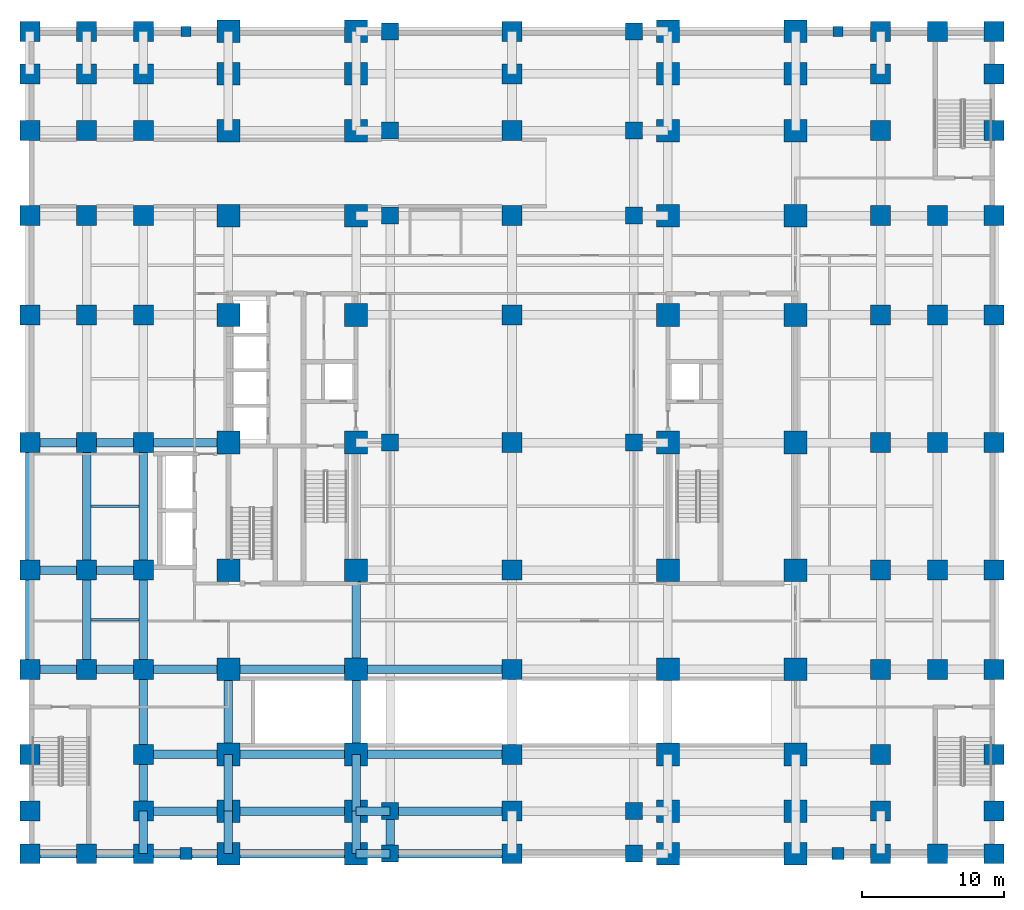
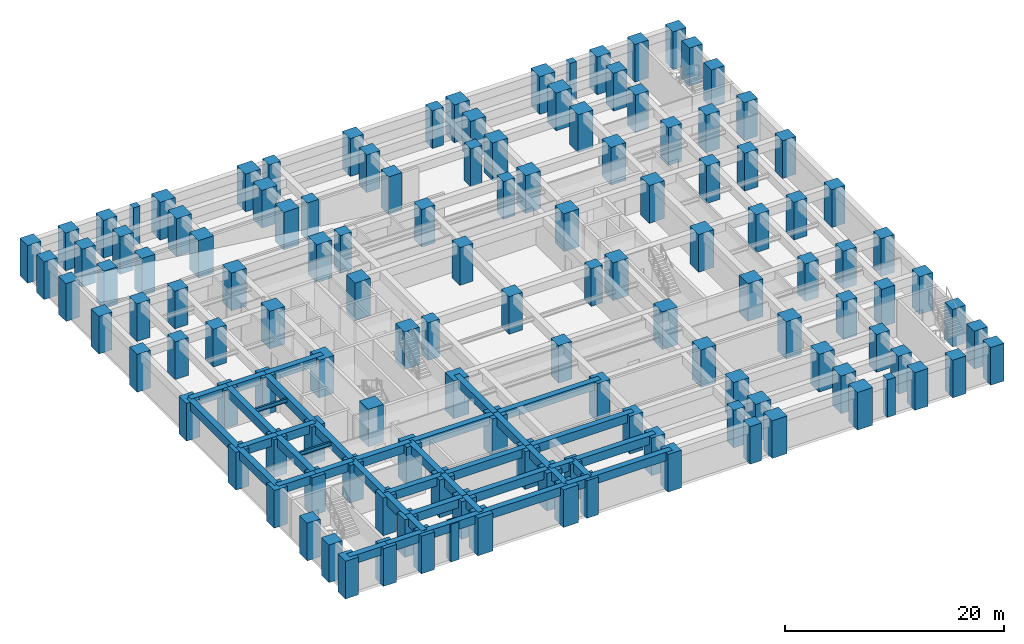
# One storey, part 1 of 14: 131 columns, 42 beams.
"""IFC4 building model written with IfcOpenShell, lengths in metres."""

import ifcopenshell
import ifcopenshell.guid

model = None  # the IFC model being written
_history = None  # IfcOwnerHistory: only IFC2X3 demands one
_inside = {}  # id of a spatial element -> (the spatial element, [elements in it])
_under = {}  # id of a project, library or spatial element -> (it, [spatial elements below it])
_declared = {}  # id of a project -> (the project, [libraries it declares])
_typed = {}  # id of a type object -> (the type object, [elements of that type])
_made_of = {}  # id of a material, layer set ... -> (it, [elements and type objects made of it])


def new_model(schema):
    """Start an empty IFC model of exactly this schema.

    Asked for "IFC4X3", IfcOpenShell would pick the latest addendum, in which some entities
    have other attributes; the version numbers below select the first issue.
    IFC2X3 requires an IfcOwnerHistory on every rooted entity: one is made here for all.
    """
    global model, _history
    if schema == "IFC4X3":
        model = ifcopenshell.file(schema_version=(4, 3, 0, 0))
    else:
        model = ifcopenshell.file(schema=schema)
    _inside.clear()
    _under.clear()
    _declared.clear()
    _typed.clear()
    _made_of.clear()
    _history = None
    if model.schema == "IFC2X3":
        org = make("IfcOrganization", Name="unknown")
        user = make(
            "IfcPersonAndOrganization",
            ThePerson=make("IfcPerson", FamilyName="unknown"),
            TheOrganization=org,
        )
        app = make(
            "IfcApplication",
            ApplicationDeveloper=org,
            Version="unknown",
            ApplicationFullName="unknown",
            ApplicationIdentifier="unknown",
        )
        _history = make(
            "IfcOwnerHistory",
            OwningUser=user,
            OwningApplication=app,
            ChangeAction="ADDED",
            CreationDate=0,
        )
    return model


def make(cls, **values):
    """One entity of the class cls with the attributes given. An attribute that is None is left unset."""
    return model.create_entity(
        cls, **{name: value for name, value in values.items() if value is not None}
    )


def rooted(cls, **values):
    """An entity with a GlobalId (a new one), such as an element, a storey or a relation."""
    return make(cls, GlobalId=ifcopenshell.guid.new(), OwnerHistory=_history, **values)


def si_unit(unit_type, name, prefix=None):
    """IfcSIUnit, for example si_unit("LENGTHUNIT", "METRE", prefix="MILLI")."""
    return make("IfcSIUnit", UnitType=unit_type, Prefix=prefix, Name=name)


def assignment(units):
    """IfcUnitAssignment: the units of a project."""
    return None if units is None else make("IfcUnitAssignment", Units=units)


def point(xyz):
    """IfcCartesianPoint."""
    return None if xyz is None else make("IfcCartesianPoint", Coordinates=xyz)


def direction(xyz):
    """IfcDirection."""
    return None if xyz is None else make("IfcDirection", DirectionRatios=xyz)


def frame(location, z_axis=None, x_axis=None):
    """IfcAxis2Placement3D, a coordinate frame: its origin and axes. An axis left out is left unset."""
    return make(
        "IfcAxis2Placement3D",
        Location=point(location),
        Axis=direction(z_axis),
        RefDirection=direction(x_axis),
    )


def frame_2d(location, x_axis=None):
    """IfcAxis2Placement2D, a coordinate frame in the plane: its origin and x axis."""
    return make(
        "IfcAxis2Placement2D", Location=point(location), RefDirection=direction(x_axis)
    )


def origin():
    """The frame at (0, 0, 0) with its axes left unset."""
    return frame((0.0, 0.0, 0.0))


def origin_2d():
    """The frame at (0, 0) in the plane with its x axis left unset."""
    return frame_2d((0.0, 0.0))


def place(relative_to, where):
    """IfcLocalPlacement: puts the frame where relative to a parent placement (None: the world)."""
    return make(
        "IfcLocalPlacement", PlacementRelTo=relative_to, RelativePlacement=where
    )


def context(
    kind, dimensions, precision=None, world=None, true_north=None, identifier=None
):
    """IfcGeometricRepresentationContext, for example the 3D "Model" context."""
    return make(
        "IfcGeometricRepresentationContext",
        ContextIdentifier=identifier,
        ContextType=kind,
        CoordinateSpaceDimension=dimensions,
        Precision=precision,
        WorldCoordinateSystem=world,
        TrueNorth=true_north,
    )


def subcontext(parent, identifier, kind, view, scale=None):
    """IfcGeometricRepresentationSubContext, for example "Body" below "Model"."""
    return make(
        "IfcGeometricRepresentationSubContext",
        ContextIdentifier=identifier,
        ContextType=kind,
        ParentContext=parent,
        TargetScale=scale,
        TargetView=view,
    )


def project(units=None, contexts=None):
    """IfcProject with its units and contexts."""
    return rooted(
        "IfcProject",
        Name="project",
        RepresentationContexts=contexts,
        UnitsInContext=assignment(units),
    )


def spatial(cls, under=None, at=None, **own):
    """A site, building, storey or space (cls), placed at a placement, below another one or the project."""
    s = rooted(cls, ObjectPlacement=at, **own)
    if under is not None:
        _under.setdefault(under.id(), (under, []))[1].append(s)
    return s


def profile(cls, at=None, kind="AREA", **sizes):
    """A parametric profile (cls). Its sizes go by their IFC names, for example OverallWidth=200.0."""
    return make(cls, ProfileType=kind, Position=at, **sizes)


def rectangle(**sizes):
    """IfcRectangleProfileDef."""
    return profile("IfcRectangleProfileDef", **sizes)


def i_section(**sizes):
    """IfcIShapeProfileDef."""
    return profile("IfcIShapeProfileDef", **sizes)


def extrude(swept, where, along, depth):
    """IfcExtrudedAreaSolid: the profile swept, set in the frame where, extruded along a direction by depth."""
    return make(
        "IfcExtrudedAreaSolid",
        SweptArea=swept,
        Position=where,
        ExtrudedDirection=direction(along),
        Depth=depth,
    )


def shape(context_of_items, identifier, shape_type, items):
    """IfcShapeRepresentation: the items that make up one representation, for example the "Body"."""
    return make(
        "IfcShapeRepresentation",
        ContextOfItems=context_of_items,
        RepresentationIdentifier=identifier,
        RepresentationType=shape_type,
        Items=items,
    )


def material(Name=None, Category=None):
    """IfcMaterial."""
    return make("IfcMaterial", Name=Name, Category=Category)


def material_profile(
    of_material, cross_section, Name=None, Category=None, Priority=None
):
    """IfcMaterialProfile: a cross section and its material."""
    return make(
        "IfcMaterialProfile",
        Name=Name,
        Material=of_material,
        Profile=cross_section,
        Priority=Priority,
        Category=Category,
    )


def profile_set(profiles, Name=None, composite=None):
    """IfcMaterialProfileSet."""
    return make(
        "IfcMaterialProfileSet",
        Name=Name,
        MaterialProfiles=profiles,
        CompositeProfile=composite,
    )


def made_of(thing, what):
    """Note that an element or type object is made of a material, layer set ...; save() writes the relation."""
    if what is not None:
        _made_of.setdefault(what.id(), (what, []))[1].append(thing)
    return thing


def type_object(cls, material=None, **own):
    """A type object (cls), such as IfcWallType, which elements share."""
    return made_of(rooted(cls, **own), material)


def element(
    cls,
    number,
    at=None,
    inside=None,
    cuts=None,
    type_object=None,
    material=None,
    context=None,
    identifier="Body",
    shape_type=None,
    held_by="IfcProductDefinitionShape",
    body=None,
    shapes=None,
    **own,
):
    """One element of the class cls, such as IfcWall. Its Tag is "e" and its number.

    at: its placement. inside: the storey or other place that contains it. cuts: it is an
    opening in that element (IfcRelVoidsElement). A single representation is given by context,
    identifier, shape_type and body (its items); several are given by shapes. held_by: the class
    of the entity that holds the representations. save() writes the other relations.
    """
    e = rooted(cls, Tag="e%d" % number, ObjectPlacement=at, **own)
    if body is not None:
        shapes = [shape(context, identifier, shape_type, body)]
    if shapes is not None:
        e.Representation = make(held_by, Representations=shapes)
    if inside is not None:
        _inside.setdefault(inside.id(), (inside, []))[1].append(e)
    if cuts is not None:
        rooted(
            "IfcRelVoidsElement", RelatingBuildingElement=cuts, RelatedOpeningElement=e
        )
    if type_object is not None:
        _typed.setdefault(type_object.id(), (type_object, []))[1].append(e)
    return made_of(e, material)


def aggregate(whole, parts):
    """IfcRelAggregates: a whole, such as a stair, and the parts it consists of."""
    return rooted("IfcRelAggregates", RelatingObject=whole, RelatedObjects=parts)


def save(model, path):
    """Write the relations noted so far, then the file.

    IfcRelAggregates (storeys below a building ...), IfcRelContainedInSpatialStructure (elements
    in a storey), IfcRelDefinesByType, IfcRelAssociatesMaterial and IfcRelDeclares: one each for
    every whole, place, type object, material and project.
    """
    for whole, parts in _under.values():
        aggregate(whole, parts)
    for where, things in _inside.values():
        rooted(
            "IfcRelContainedInSpatialStructure",
            RelatedElements=things,
            RelatingStructure=where,
        )
    for kind, things in _typed.values():
        rooted("IfcRelDefinesByType", RelatedObjects=things, RelatingType=kind)
    for what, things in _made_of.values():
        rooted("IfcRelAssociatesMaterial", RelatedObjects=things, RelatingMaterial=what)
    for by, libraries in _declared.values():
        rooted("IfcRelDeclares", RelatingContext=by, RelatedDefinitions=libraries)
    model.write(path)


model = new_model("IFC4")

# Units and contexts
model_context = context("Model", 3, precision=1e-05, world=origin(), true_north=direction((0.0, 1.0)))
body_context = subcontext(model_context, "Body", "Model", "MODEL_VIEW")
ifc_project = project(units=[si_unit("LENGTHUNIT", "METRE"), si_unit("AREAUNIT", "SQUARE_METRE"), si_unit("VOLUMEUNIT", "CUBIC_METRE"), si_unit("PLANEANGLEUNIT", "RADIAN"), si_unit("MASSUNIT", "GRAM", prefix="KILO")], contexts=[model_context])

# Site, building, storey
site_placement = place(None, origin())
site = spatial("IfcSite", under=ifc_project, at=site_placement, CompositionType="ELEMENT")
building_placement = place(site_placement, origin())
building = spatial("IfcBuilding", under=site, at=building_placement, Name="Zulmaris Gate Convention Tower", CompositionType="ELEMENT")
storey_placement = place(building_placement, frame((0.0, 0.0, -4.550048828125)))
storey = spatial("IfcBuildingStorey", under=building, at=storey_placement, Name="B1", CompositionType="ELEMENT", Elevation=-4.550048828125)

# Columns
ifc_material_1 = material(Name="Concrete C70/85", Category="concrete")
ifc_material_profile_1 = material_profile(ifc_material_1, rectangle(XDim=1.199951171875, YDim=1.199951171875, at=origin_2d()), Name="RC COL 1200x1200")
ifc_profile_set_1 = profile_set([ifc_material_profile_1], Name="Concrete C70/85")
column_type_1 = type_object("IfcColumnType", Name="COL-RC1200", PredefinedType="COLUMN", material=ifc_profile_set_1)
for number, where, z_axis, x_axis, name in (
    (1, (-8.60009765625, -29.0, 0.0), (0.0, 0.0, 1.0), (1.0, 0.0, 0.0), "B1 Column AR--8.6_-29.0"),
    (2, (8.60009765625, -29.0, 0.0), (0.0, 0.0, 1.0), (1.0, 0.0, 0.0), "B1 Column AR-+8.6_-29.0"),
    (3, (-8.60009765625, -26.0, 0.0), (0.0, 0.0, 1.0), (1.0, 0.0, 0.0), "B1 Column AR--8.6_-26.0"),
    (4, (8.60009765625, -26.0, 0.0), (0.0, 0.0, 1.0), (1.0, 0.0, 0.0), "B1 Column AR-+8.6_-26.0"),
    (5, (-8.60009765625, 0.0, 0.0), (0.0, 0.0, 1.0), (1.0, 0.0, 0.0), "B1 Column AR--8.6_+0.0"),
    (6, (8.60009765625, 0.0, 0.0), (0.0, 0.0, 1.0), (1.0, 0.0, 0.0), "B1 Column AR-+8.6_+0.0"),
    (7, (-8.60009765625, 16.0, 0.0), (0.0, 0.0, 1.0), (1.0, 0.0, 0.0), "B1 Column AR--8.6_+16.0"),
    (8, (8.60009765625, 16.0, 0.0), (0.0, 0.0, 1.0), (1.0, 0.0, 0.0), "B1 Column AR-+8.6_+16.0"),
    (9, (-8.60009765625, 22.0, 0.0), (0.0, 0.0, 1.0), (1.0, 0.0, 0.0), "B1 Column AR--8.6_+22.0"),
    (10, (8.60009765625, 22.0, 0.0), (0.0, 0.0, 1.0), (1.0, 0.0, 0.0), "B1 Column AR-+8.6_+22.0"),
    (11, (-8.60009765625, 29.0, 0.0), (0.0, 0.0, 1.0), (1.0, 0.0, 0.0), "B1 Column AR--8.6_+29.0"),
    (12, (8.60009765625, 29.0, 0.0), (0.0, 0.0, 1.0), (1.0, 0.0, 0.0), "B1 Column AR-+8.6_+29.0"),
):
    element("IfcColumn", number, at=place(storey_placement, frame(where, z_axis=z_axis, x_axis=x_axis)), inside=storey, type_object=column_type_1, Name=name, PredefinedType="COLUMN", context=body_context, shape_type="SweptSolid", body=[
        extrude(rectangle(XDim=1.199951171875, YDim=1.199951171875, at=origin_2d()), origin(), (0.0, 0.0, 1.0), 4.199951171875),
    ])
ifc_material_2 = material(Name="Concrete C80/95", Category="concrete")
ifc_material_profile_2 = material_profile(ifc_material_2, rectangle(XDim=1.39990234375, YDim=1.39990234375, at=origin_2d()), Name="RC COL 1400x1400")
ifc_profile_set_2 = profile_set([ifc_material_profile_2], Name="Concrete C80/95")
column_type_2 = type_object("IfcColumnType", Name="COL-RC1400", PredefinedType="COLUMN", material=ifc_profile_set_2)
for number, where, z_axis, x_axis, name in (
    (13, (-34.0, -29.0, 0.0), (0.0, 0.0, 1.0), (1.0, 0.0, 0.0), "B1 Column G--34.0_-29.0"),
    (14, (-34.0, -26.0, 0.0), (0.0, 0.0, 1.0), (1.0, 0.0, 0.0), "B1 Column G--34.0_-26.0"),
    (15, (-34.0, -22.0, 0.0), (0.0, 0.0, 1.0), (1.0, 0.0, 0.0), "B1 Column G--34.0_-22.0"),
    (16, (-34.0, -16.0, 0.0), (0.0, 0.0, 1.0), (1.0, 0.0, 0.0), "B1 Column G--34.0_-16.0"),
    (17, (-34.0, -9.0, 0.0), (0.0, 0.0, 1.0), (1.0, 0.0, 0.0), "B1 Column G--34.0_-9.0"),
    (18, (-34.0, 0.0, 0.0), (0.0, 0.0, 1.0), (1.0, 0.0, 0.0), "B1 Column G--34.0_+0.0"),
    (19, (-34.0, 9.0, 0.0), (0.0, 0.0, 1.0), (1.0, 0.0, 0.0), "B1 Column G--34.0_+9.0"),
    (20, (-34.0, 16.0, 0.0), (0.0, 0.0, 1.0), (1.0, 0.0, 0.0), "B1 Column G--34.0_+16.0"),
    (21, (-34.0, 22.0, 0.0), (0.0, 0.0, 1.0), (1.0, 0.0, 0.0), "B1 Column G--34.0_+22.0"),
    (22, (-34.0, 26.0, 0.0), (0.0, 0.0, 1.0), (1.0, 0.0, 0.0), "B1 Column G--34.0_+26.0"),
    (23, (-34.0, 29.0, 0.0), (0.0, 0.0, 1.0), (1.0, 0.0, 0.0), "B1 Column G--34.0_+29.0"),
    (24, (-30.0, -29.0, 0.0), (0.0, 0.0, 1.0), (1.0, 0.0, 0.0), "B1 Column G--30.0_-29.0"),
    (25, (-30.0, -16.0, 0.0), (0.0, 0.0, 1.0), (1.0, 0.0, 0.0), "B1 Column G--30.0_-16.0"),
    (26, (-30.0, -9.0, 0.0), (0.0, 0.0, 1.0), (1.0, 0.0, 0.0), "B1 Column G--30.0_-9.0"),
    (27, (-30.0, 0.0, 0.0), (0.0, 0.0, 1.0), (1.0, 0.0, 0.0), "B1 Column G--30.0_+0.0"),
    (28, (-30.0, 9.0, 0.0), (0.0, 0.0, 1.0), (1.0, 0.0, 0.0), "B1 Column G--30.0_+9.0"),
    (29, (-30.0, 16.0, 0.0), (0.0, 0.0, 1.0), (1.0, 0.0, 0.0), "B1 Column G--30.0_+16.0"),
    (30, (-30.0, 22.0, 0.0), (0.0, 0.0, 1.0), (1.0, 0.0, 0.0), "B1 Column G--30.0_+22.0"),
    (31, (-30.0, 26.0, 0.0), (0.0, 0.0, 1.0), (1.0, 0.0, 0.0), "B1 Column G--30.0_+26.0"),
    (32, (-30.0, 29.0, 0.0), (0.0, 0.0, 1.0), (1.0, 0.0, 0.0), "B1 Column G--30.0_+29.0"),
    (33, (-26.0, -29.0, 0.0), (0.0, 0.0, 1.0), (1.0, 0.0, 0.0), "B1 Column G--26.0_-29.0"),
    (34, (-26.0, -26.0, 0.0), (0.0, 0.0, 1.0), (1.0, 0.0, 0.0), "B1 Column G--26.0_-26.0"),
    (35, (-26.0, -22.0, 0.0), (0.0, 0.0, 1.0), (1.0, 0.0, 0.0), "B1 Column G--26.0_-22.0"),
    (36, (-26.0, -16.0, 0.0), (0.0, 0.0, 1.0), (1.0, 0.0, 0.0), "B1 Column G--26.0_-16.0"),
    (37, (-26.0, -9.0, 0.0), (0.0, 0.0, 1.0), (1.0, 0.0, 0.0), "B1 Column G--26.0_-9.0"),
    (38, (-26.0, 0.0, 0.0), (0.0, 0.0, 1.0), (1.0, 0.0, 0.0), "B1 Column G--26.0_+0.0"),
    (39, (-26.0, 9.0, 0.0), (0.0, 0.0, 1.0), (1.0, 0.0, 0.0), "B1 Column G--26.0_+9.0"),
    (40, (-26.0, 16.0, 0.0), (0.0, 0.0, 1.0), (1.0, 0.0, 0.0), "B1 Column G--26.0_+16.0"),
    (41, (-26.0, 22.0, 0.0), (0.0, 0.0, 1.0), (1.0, 0.0, 0.0), "B1 Column G--26.0_+22.0"),
    (42, (-26.0, 26.0, 0.0), (0.0, 0.0, 1.0), (1.0, 0.0, 0.0), "B1 Column G--26.0_+26.0"),
    (43, (-26.0, 29.0, 0.0), (0.0, 0.0, 1.0), (1.0, 0.0, 0.0), "B1 Column G--26.0_+29.0"),
    (44, (0.0, -29.0, 0.0), (0.0, 0.0, 1.0), (1.0, 0.0, 0.0), "B1 Column G-+0.0_-29.0"),
    (45, (0.0, -26.0, 0.0), (0.0, 0.0, 1.0), (1.0, 0.0, 0.0), "B1 Column G-+0.0_-26.0"),
    (46, (0.0, -22.0, 0.0), (0.0, 0.0, 1.0), (1.0, 0.0, 0.0), "B1 Column G-+0.0_-22.0"),
    (47, (0.0, -16.0, 0.0), (0.0, 0.0, 1.0), (1.0, 0.0, 0.0), "B1 Column G-+0.0_-16.0"),
    (48, (0.0, -9.0, 0.0), (0.0, 0.0, 1.0), (1.0, 0.0, 0.0), "B1 Column G-+0.0_-9.0"),
    (49, (0.0, 0.0, 0.0), (0.0, 0.0, 1.0), (1.0, 0.0, 0.0), "B1 Column G-+0.0_+0.0"),
    (50, (0.0, 9.0, 0.0), (0.0, 0.0, 1.0), (1.0, 0.0, 0.0), "B1 Column G-+0.0_+9.0"),
    (51, (0.0, 16.0, 0.0), (0.0, 0.0, 1.0), (1.0, 0.0, 0.0), "B1 Column G-+0.0_+16.0"),
    (52, (0.0, 22.0, 0.0), (0.0, 0.0, 1.0), (1.0, 0.0, 0.0), "B1 Column G-+0.0_+22.0"),
    (53, (0.0, 26.0, 0.0), (0.0, 0.0, 1.0), (1.0, 0.0, 0.0), "B1 Column G-+0.0_+26.0"),
    (54, (0.0, 29.0, 0.0), (0.0, 0.0, 1.0), (1.0, 0.0, 0.0), "B1 Column G-+0.0_+29.0"),
    (55, (26.0, -29.0, 0.0), (0.0, 0.0, 1.0), (1.0, 0.0, 0.0), "B1 Column G-+26.0_-29.0"),
    (56, (26.0, -26.0, 0.0), (0.0, 0.0, 1.0), (1.0, 0.0, 0.0), "B1 Column G-+26.0_-26.0"),
    (57, (26.0, -22.0, 0.0), (0.0, 0.0, 1.0), (1.0, 0.0, 0.0), "B1 Column G-+26.0_-22.0"),
    (58, (26.0, -16.0, 0.0), (0.0, 0.0, 1.0), (1.0, 0.0, 0.0), "B1 Column G-+26.0_-16.0"),
    (59, (26.0, -9.0, 0.0), (0.0, 0.0, 1.0), (1.0, 0.0, 0.0), "B1 Column G-+26.0_-9.0"),
    (60, (26.0, 0.0, 0.0), (0.0, 0.0, 1.0), (1.0, 0.0, 0.0), "B1 Column G-+26.0_+0.0"),
    (61, (26.0, 9.0, 0.0), (0.0, 0.0, 1.0), (1.0, 0.0, 0.0), "B1 Column G-+26.0_+9.0"),
    (62, (26.0, 16.0, 0.0), (0.0, 0.0, 1.0), (1.0, 0.0, 0.0), "B1 Column G-+26.0_+16.0"),
    (63, (26.0, 22.0, 0.0), (0.0, 0.0, 1.0), (1.0, 0.0, 0.0), "B1 Column G-+26.0_+22.0"),
    (64, (26.0, 26.0, 0.0), (0.0, 0.0, 1.0), (1.0, 0.0, 0.0), "B1 Column G-+26.0_+26.0"),
    (65, (26.0, 29.0, 0.0), (0.0, 0.0, 1.0), (1.0, 0.0, 0.0), "B1 Column G-+26.0_+29.0"),
    (66, (30.0, -29.0, 0.0), (0.0, 0.0, 1.0), (1.0, 0.0, 0.0), "B1 Column G-+30.0_-29.0"),
    (67, (30.0, -16.0, 0.0), (0.0, 0.0, 1.0), (1.0, 0.0, 0.0), "B1 Column G-+30.0_-16.0"),
    (68, (30.0, -9.0, 0.0), (0.0, 0.0, 1.0), (1.0, 0.0, 0.0), "B1 Column G-+30.0_-9.0"),
    (69, (30.0, 0.0, 0.0), (0.0, 0.0, 1.0), (1.0, 0.0, 0.0), "B1 Column G-+30.0_+0.0"),
    (70, (30.0, 9.0, 0.0), (0.0, 0.0, 1.0), (1.0, 0.0, 0.0), "B1 Column G-+30.0_+9.0"),
    (71, (30.0, 16.0, 0.0), (0.0, 0.0, 1.0), (1.0, 0.0, 0.0), "B1 Column G-+30.0_+16.0"),
    (72, (30.0, 29.0, 0.0), (0.0, 0.0, 1.0), (1.0, 0.0, 0.0), "B1 Column G-+30.0_+29.0"),
    (73, (34.0, -29.0, 0.0), (0.0, 0.0, 1.0), (1.0, 0.0, 0.0), "B1 Column G-+34.0_-29.0"),
    (74, (34.0, -26.0, 0.0), (0.0, 0.0, 1.0), (1.0, 0.0, 0.0), "B1 Column G-+34.0_-26.0"),
    (75, (34.0, -22.0, 0.0), (0.0, 0.0, 1.0), (1.0, 0.0, 0.0), "B1 Column G-+34.0_-22.0"),
    (76, (34.0, -16.0, 0.0), (0.0, 0.0, 1.0), (1.0, 0.0, 0.0), "B1 Column G-+34.0_-16.0"),
    (77, (34.0, -9.0, 0.0), (0.0, 0.0, 1.0), (1.0, 0.0, 0.0), "B1 Column G-+34.0_-9.0"),
    (78, (34.0, 0.0, 0.0), (0.0, 0.0, 1.0), (1.0, 0.0, 0.0), "B1 Column G-+34.0_+0.0"),
    (79, (34.0, 9.0, 0.0), (0.0, 0.0, 1.0), (1.0, 0.0, 0.0), "B1 Column G-+34.0_+9.0"),
    (80, (34.0, 16.0, 0.0), (0.0, 0.0, 1.0), (1.0, 0.0, 0.0), "B1 Column G-+34.0_+16.0"),
    (81, (34.0, 22.0, 0.0), (0.0, 0.0, 1.0), (1.0, 0.0, 0.0), "B1 Column G-+34.0_+22.0"),
    (82, (34.0, 26.0, 0.0), (0.0, 0.0, 1.0), (1.0, 0.0, 0.0), "B1 Column G-+34.0_+26.0"),
    (83, (34.0, 29.0, 0.0), (0.0, 0.0, 1.0), (1.0, 0.0, 0.0), "B1 Column G-+34.0_+29.0"),
):
    element("IfcColumn", number, at=place(storey_placement, frame(where, z_axis=z_axis, x_axis=x_axis)), inside=storey, type_object=column_type_2, Name=name, PredefinedType="COLUMN", context=body_context, shape_type="SweptSolid", body=[
        extrude(rectangle(XDim=1.39990234375, YDim=1.39990234375, at=origin_2d()), origin(), (0.0, 0.0, 1.0), 4.199951171875),
    ])
ifc_material_profile_3 = material_profile(ifc_material_2, rectangle(XDim=1.60009765625, YDim=1.60009765625, at=origin_2d()), Name="RC COL 1600x1600")
ifc_profile_set_3 = profile_set([ifc_material_profile_3], Name="Concrete C80/95")
column_type_3 = type_object("IfcColumnType", Name="COL-RC1600", PredefinedType="COLUMN", material=ifc_profile_set_3)
for number, where, z_axis, x_axis, name in (
    (84, (-20.0, -29.0, 0.0), (0.0, 0.0, 1.0), (1.0, 0.0, 0.0), "B1 Column G--20.0_-29.0"),
    (85, (-20.0, -26.0, 0.0), (0.0, 0.0, 1.0), (1.0, 0.0, 0.0), "B1 Column G--20.0_-26.0"),
    (86, (-20.0, -22.0, 0.0), (0.0, 0.0, 1.0), (1.0, 0.0, 0.0), "B1 Column G--20.0_-22.0"),
    (87, (-20.0, -16.0, 0.0), (0.0, 0.0, 1.0), (1.0, 0.0, 0.0), "B1 Column G--20.0_-16.0"),
    (88, (-20.0, -9.0, 0.0), (0.0, 0.0, 1.0), (1.0, 0.0, 0.0), "B1 Column G--20.0_-9.0"),
    (89, (-20.0, 0.0, 0.0), (0.0, 0.0, 1.0), (1.0, 0.0, 0.0), "B1 Column G--20.0_+0.0"),
    (90, (-20.0, 9.0, 0.0), (0.0, 0.0, 1.0), (1.0, 0.0, 0.0), "B1 Column G--20.0_+9.0"),
    (91, (-20.0, 16.0, 0.0), (0.0, 0.0, 1.0), (1.0, 0.0, 0.0), "B1 Column G--20.0_+16.0"),
    (92, (-20.0, 22.0, 0.0), (0.0, 0.0, 1.0), (1.0, 0.0, 0.0), "B1 Column G--20.0_+22.0"),
    (93, (-20.0, 26.0, 0.0), (0.0, 0.0, 1.0), (1.0, 0.0, 0.0), "B1 Column G--20.0_+26.0"),
    (94, (-20.0, 29.0, 0.0), (0.0, 0.0, 1.0), (1.0, 0.0, 0.0), "B1 Column G--20.0_+29.0"),
    (95, (-11.0, -29.0, 0.0), (0.0, 0.0, 1.0), (1.0, 0.0, 0.0), "B1 Column G--11.0_-29.0"),
    (96, (-11.0, -26.0, 0.0), (0.0, 0.0, 1.0), (1.0, 0.0, 0.0), "B1 Column G--11.0_-26.0"),
    (97, (-11.0, -22.0, 0.0), (0.0, 0.0, 1.0), (1.0, 0.0, 0.0), "B1 Column G--11.0_-22.0"),
    (98, (-11.0, -16.0, 0.0), (0.0, 0.0, 1.0), (1.0, 0.0, 0.0), "B1 Column G--11.0_-16.0"),
    (99, (-11.0, -9.0, 0.0), (0.0, 0.0, 1.0), (1.0, 0.0, 0.0), "B1 Column G--11.0_-9.0"),
    (100, (-11.0, 0.0, 0.0), (0.0, 0.0, 1.0), (1.0, 0.0, 0.0), "B1 Column G--11.0_+0.0"),
    (101, (-11.0, 9.0, 0.0), (0.0, 0.0, 1.0), (1.0, 0.0, 0.0), "B1 Column G--11.0_+9.0"),
    (102, (-11.0, 16.0, 0.0), (0.0, 0.0, 1.0), (1.0, 0.0, 0.0), "B1 Column G--11.0_+16.0"),
    (103, (-11.0, 22.0, 0.0), (0.0, 0.0, 1.0), (1.0, 0.0, 0.0), "B1 Column G--11.0_+22.0"),
    (104, (-11.0, 26.0, 0.0), (0.0, 0.0, 1.0), (1.0, 0.0, 0.0), "B1 Column G--11.0_+26.0"),
    (105, (-11.0, 29.0, 0.0), (0.0, 0.0, 1.0), (1.0, 0.0, 0.0), "B1 Column G--11.0_+29.0"),
    (106, (11.0, -29.0, 0.0), (0.0, 0.0, 1.0), (1.0, 0.0, 0.0), "B1 Column G-+11.0_-29.0"),
    (107, (11.0, -26.0, 0.0), (0.0, 0.0, 1.0), (1.0, 0.0, 0.0), "B1 Column G-+11.0_-26.0"),
    (108, (11.0, -22.0, 0.0), (0.0, 0.0, 1.0), (1.0, 0.0, 0.0), "B1 Column G-+11.0_-22.0"),
    (109, (11.0, -16.0, 0.0), (0.0, 0.0, 1.0), (1.0, 0.0, 0.0), "B1 Column G-+11.0_-16.0"),
    (110, (11.0, -9.0, 0.0), (0.0, 0.0, 1.0), (1.0, 0.0, 0.0), "B1 Column G-+11.0_-9.0"),
    (111, (11.0, 0.0, 0.0), (0.0, 0.0, 1.0), (1.0, 0.0, 0.0), "B1 Column G-+11.0_+0.0"),
    (112, (11.0, 9.0, 0.0), (0.0, 0.0, 1.0), (1.0, 0.0, 0.0), "B1 Column G-+11.0_+9.0"),
    (113, (11.0, 16.0, 0.0), (0.0, 0.0, 1.0), (1.0, 0.0, 0.0), "B1 Column G-+11.0_+16.0"),
    (114, (11.0, 22.0, 0.0), (0.0, 0.0, 1.0), (1.0, 0.0, 0.0), "B1 Column G-+11.0_+22.0"),
    (115, (11.0, 26.0, 0.0), (0.0, 0.0, 1.0), (1.0, 0.0, 0.0), "B1 Column G-+11.0_+26.0"),
    (116, (11.0, 29.0, 0.0), (0.0, 0.0, 1.0), (1.0, 0.0, 0.0), "B1 Column G-+11.0_+29.0"),
    (117, (20.0, -29.0, 0.0), (0.0, 0.0, 1.0), (1.0, 0.0, 0.0), "B1 Column G-+20.0_-29.0"),
    (118, (20.0, -26.0, 0.0), (0.0, 0.0, 1.0), (1.0, 0.0, 0.0), "B1 Column G-+20.0_-26.0"),
    (119, (20.0, -22.0, 0.0), (0.0, 0.0, 1.0), (1.0, 0.0, 0.0), "B1 Column G-+20.0_-22.0"),
    (120, (20.0, -16.0, 0.0), (0.0, 0.0, 1.0), (1.0, 0.0, 0.0), "B1 Column G-+20.0_-16.0"),
    (121, (20.0, -9.0, 0.0), (0.0, 0.0, 1.0), (1.0, 0.0, 0.0), "B1 Column G-+20.0_-9.0"),
    (122, (20.0, 0.0, 0.0), (0.0, 0.0, 1.0), (1.0, 0.0, 0.0), "B1 Column G-+20.0_+0.0"),
    (123, (20.0, 9.0, 0.0), (0.0, 0.0, 1.0), (1.0, 0.0, 0.0), "B1 Column G-+20.0_+9.0"),
    (124, (20.0, 16.0, 0.0), (0.0, 0.0, 1.0), (1.0, 0.0, 0.0), "B1 Column G-+20.0_+16.0"),
    (125, (20.0, 22.0, 0.0), (0.0, 0.0, 1.0), (1.0, 0.0, 0.0), "B1 Column G-+20.0_+22.0"),
    (126, (20.0, 26.0, 0.0), (0.0, 0.0, 1.0), (1.0, 0.0, 0.0), "B1 Column G-+20.0_+26.0"),
    (127, (20.0, 29.0, 0.0), (0.0, 0.0, 1.0), (1.0, 0.0, 0.0), "B1 Column G-+20.0_+29.0"),
):
    element("IfcColumn", number, at=place(storey_placement, frame(where, z_axis=z_axis, x_axis=x_axis)), inside=storey, type_object=column_type_3, Name=name, PredefinedType="COLUMN", context=body_context, shape_type="SweptSolid", body=[
        extrude(rectangle(XDim=1.60009765625, YDim=1.60009765625, at=origin_2d()), origin(), (0.0, 0.0, 1.0), 4.199951171875),
    ])
ifc_material_3 = material(Name="Precast concrete C50/60", Category="concrete")
ifc_material_profile_4 = material_profile(ifc_material_3, rectangle(XDim=0.699951171875, YDim=0.699951171875, at=origin_2d()), Name="RC COL 700x700")
ifc_profile_set_4 = profile_set([ifc_material_profile_4], Name="Precast concrete C50/60")
column_type_4 = type_object("IfcColumnType", Name="PIL-RC700", PredefinedType="PILASTER", material=ifc_profile_set_4)
for number, where, z_axis, x_axis, name in (
    (128, (-23.0, 29.0, 0.0), (0.0, 0.0, 1.0), (1.0, 0.0, 0.0), "B1 Pilaster PIL--23.0_+29.0"),
    (129, (23.0, 29.0, 0.0), (0.0, 0.0, 1.0), (1.0, 0.0, 0.0), "B1 Pilaster PIL-+23.0_+29.0"),
):
    element("IfcColumn", number, at=place(storey_placement, frame(where, z_axis=z_axis, x_axis=x_axis)), inside=storey, type_object=column_type_4, Name=name, PredefinedType="PILASTER", context=body_context, shape_type="SweptSolid", body=[
        extrude(rectangle(XDim=0.699951171875, YDim=0.699951171875, at=origin_2d()), origin(), (0.0, 0.0, 1.0), 4.199951171875),
    ])
ifc_material_profile_5 = material_profile(ifc_material_3, rectangle(XDim=0.85009765625, YDim=0.85009765625, at=origin_2d()), Name="RC COL 850x850")
ifc_profile_set_5 = profile_set([ifc_material_profile_5], Name="Precast concrete C50/60")
column_type_5 = type_object("IfcColumnType", Name="PIL-RC850", PredefinedType="PILASTER", material=ifc_profile_set_5)
for number, where, z_axis, x_axis, name in (
    (130, (-23.0, -29.0, 0.0), (0.0, 0.0, 1.0), (1.0, 0.0, 0.0), "B1 Pilaster PIL--23.0_-29.0"),
    (131, (23.0, -29.0, 0.0), (0.0, 0.0, 1.0), (1.0, 0.0, 0.0), "B1 Pilaster PIL-+23.0_-29.0"),
):
    element("IfcColumn", number, at=place(storey_placement, frame(where, z_axis=z_axis, x_axis=x_axis)), inside=storey, type_object=column_type_5, Name=name, PredefinedType="PILASTER", context=body_context, shape_type="SweptSolid", body=[
        extrude(rectangle(XDim=0.85009765625, YDim=0.85009765625, at=origin_2d()), origin(), (0.0, 0.0, 1.0), 4.199951171875),
    ])

# Beams
ifc_material_4 = material(Name="Concrete C60/75", Category="concrete")
ifc_material_profile_6 = material_profile(ifc_material_4, rectangle(XDim=0.60009765625, YDim=0.949951171875, at=origin_2d()), Name="RC BEAM 600x950")
ifc_profile_set_6 = profile_set([ifc_material_profile_6], Name="Concrete C60/75")
beam_type_1 = type_object("IfcBeamType", Name="BM-RC600x950", PredefinedType="BEAM", material=ifc_profile_set_6)
for number, where, z_axis, x_axis, name in (
    (132, (-34.0, -29.0, 3.72509765625), (1.0, 0.0, 0.0), (0.0, 1.0, 0.0), "B1 Beam BM-B1-X--29.0--34.0"),
    (133, (-30.0, -29.0, 3.72509765625), (1.0, 0.0, 0.0), (0.0, 1.0, 0.0), "B1 Beam BM-B1-X--29.0--30.0"),
):
    element("IfcBeam", number, at=place(storey_placement, frame(where, z_axis=z_axis, x_axis=x_axis)), inside=storey, type_object=beam_type_1, Name=name, PredefinedType="BEAM", context=body_context, shape_type="SweptSolid", body=[
        extrude(rectangle(XDim=0.60009765625, YDim=0.949951171875, at=origin_2d()), origin(), (0.0, 0.0, 1.0), 4.0),
    ])
beam_1_placement = place(storey_placement, frame((-26.0, -29.0, 3.72509765625), z_axis=(1.0, 0.0, 0.0), x_axis=(0.0, 1.0, 0.0)))
element("IfcBeam", 134, at=beam_1_placement, inside=storey, type_object=beam_type_1, Name="B1 Beam BM-B1-X--29.0--26.0", PredefinedType="BEAM", context=body_context, shape_type="SweptSolid", body=[
    extrude(rectangle(XDim=0.60009765625, YDim=0.949951171875, at=origin_2d()), origin(), (0.0, 0.0, 1.0), 6.0),
])
beam_2_placement = place(storey_placement, frame((-20.0, -29.0, 3.72509765625), z_axis=(1.0, 0.0, 0.0), x_axis=(0.0, 1.0, 0.0)))
element("IfcBeam", 135, at=beam_2_placement, inside=storey, type_object=beam_type_1, Name="B1 Beam BM-B1-X--29.0--20.0", PredefinedType="BEAM", context=body_context, shape_type="SweptSolid", body=[
    extrude(rectangle(XDim=0.60009765625, YDim=0.949951171875, at=origin_2d()), origin(), (0.0, 0.0, 1.0), 9.0),
])
beam_3_placement = place(storey_placement, frame((-11.0, -29.0, 3.72509765625), z_axis=(1.0, 0.0, 0.0), x_axis=(0.0, 1.0, 0.0)))
element("IfcBeam", 136, at=beam_3_placement, inside=storey, type_object=beam_type_1, Name="B1 Beam BM-B1-X--29.0--11.0", PredefinedType="BEAM", context=body_context, shape_type="SweptSolid", body=[
    extrude(rectangle(XDim=0.60009765625, YDim=0.949951171875, at=origin_2d()), origin(), (0.0, 0.0, 1.0), 2.39990234375),
])
beam_4_placement = place(storey_placement, frame((-8.60009765625, -29.0, 3.72509765625), z_axis=(1.0, 0.0, 0.0), x_axis=(0.0, 1.0, 0.0)))
element("IfcBeam", 137, at=beam_4_placement, inside=storey, type_object=beam_type_1, Name="B1 Beam BM-B1-X--29.0--8.6", PredefinedType="BEAM", context=body_context, shape_type="SweptSolid", body=[
    extrude(rectangle(XDim=0.60009765625, YDim=0.949951171875, at=origin_2d()), origin(), (0.0, 0.0, 1.0), 8.60009765625),
])
beam_5_placement = place(storey_placement, frame((-26.0, -26.0, 3.72509765625), z_axis=(1.0, 0.0, 0.0), x_axis=(0.0, 1.0, 0.0)))
element("IfcBeam", 138, at=beam_5_placement, inside=storey, type_object=beam_type_1, Name="B1 Beam BM-B1-X--26.0--26.0", PredefinedType="BEAM", context=body_context, shape_type="SweptSolid", body=[
    extrude(rectangle(XDim=0.60009765625, YDim=0.949951171875, at=origin_2d()), origin(), (0.0, 0.0, 1.0), 6.0),
])
beam_6_placement = place(storey_placement, frame((-20.0, -26.0, 3.72509765625), z_axis=(1.0, 0.0, 0.0), x_axis=(0.0, 1.0, 0.0)))
element("IfcBeam", 139, at=beam_6_placement, inside=storey, type_object=beam_type_1, Name="B1 Beam BM-B1-X--26.0--20.0", PredefinedType="BEAM", context=body_context, shape_type="SweptSolid", body=[
    extrude(rectangle(XDim=0.60009765625, YDim=0.949951171875, at=origin_2d()), origin(), (0.0, 0.0, 1.0), 9.0),
])
beam_7_placement = place(storey_placement, frame((-11.0, -26.0, 3.72509765625), z_axis=(1.0, 0.0, 0.0), x_axis=(0.0, 1.0, 0.0)))
element("IfcBeam", 140, at=beam_7_placement, inside=storey, type_object=beam_type_1, Name="B1 Beam BM-B1-X--26.0--11.0", PredefinedType="BEAM", context=body_context, shape_type="SweptSolid", body=[
    extrude(rectangle(XDim=0.60009765625, YDim=0.949951171875, at=origin_2d()), origin(), (0.0, 0.0, 1.0), 2.39990234375),
])
beam_8_placement = place(storey_placement, frame((-8.60009765625, -26.0, 3.72509765625), z_axis=(1.0, 0.0, 0.0), x_axis=(0.0, 1.0, 0.0)))
element("IfcBeam", 141, at=beam_8_placement, inside=storey, type_object=beam_type_1, Name="B1 Beam BM-B1-X--26.0--8.6", PredefinedType="BEAM", context=body_context, shape_type="SweptSolid", body=[
    extrude(rectangle(XDim=0.60009765625, YDim=0.949951171875, at=origin_2d()), origin(), (0.0, 0.0, 1.0), 8.60009765625),
])
beam_9_placement = place(storey_placement, frame((-26.0, -22.0, 3.72509765625), z_axis=(1.0, 0.0, 0.0), x_axis=(0.0, 1.0, 0.0)))
element("IfcBeam", 142, at=beam_9_placement, inside=storey, type_object=beam_type_1, Name="B1 Beam BM-B1-X--22.0--26.0", PredefinedType="BEAM", context=body_context, shape_type="SweptSolid", body=[
    extrude(rectangle(XDim=0.60009765625, YDim=0.949951171875, at=origin_2d()), origin(), (0.0, 0.0, 1.0), 6.0),
])
beam_10_placement = place(storey_placement, frame((-20.0, -22.0, 3.72509765625), z_axis=(1.0, 0.0, 0.0), x_axis=(0.0, 1.0, 0.0)))
element("IfcBeam", 143, at=beam_10_placement, inside=storey, type_object=beam_type_1, Name="B1 Beam BM-B1-X--22.0--20.0", PredefinedType="BEAM", context=body_context, shape_type="SweptSolid", body=[
    extrude(rectangle(XDim=0.60009765625, YDim=0.949951171875, at=origin_2d()), origin(), (0.0, 0.0, 1.0), 9.0),
])
beam_11_placement = place(storey_placement, frame((-11.0, -22.0, 3.72509765625), z_axis=(1.0, 0.0, 0.0), x_axis=(0.0, 1.0, 0.0)))
element("IfcBeam", 144, at=beam_11_placement, inside=storey, type_object=beam_type_1, Name="B1 Beam BM-B1-X--22.0--11.0", PredefinedType="BEAM", context=body_context, shape_type="SweptSolid", body=[
    extrude(rectangle(XDim=0.60009765625, YDim=0.949951171875, at=origin_2d()), origin(), (0.0, 0.0, 1.0), 11.0),
])
for number, where, z_axis, x_axis, name in (
    (145, (-34.0, -16.0, 3.72509765625), (1.0, 0.0, 0.0), (0.0, 1.0, 0.0), "B1 Beam BM-B1-X--16.0--34.0"),
    (146, (-30.0, -16.0, 3.72509765625), (1.0, 0.0, 0.0), (0.0, 1.0, 0.0), "B1 Beam BM-B1-X--16.0--30.0"),
):
    element("IfcBeam", number, at=place(storey_placement, frame(where, z_axis=z_axis, x_axis=x_axis)), inside=storey, type_object=beam_type_1, Name=name, PredefinedType="BEAM", context=body_context, shape_type="SweptSolid", body=[
        extrude(rectangle(XDim=0.60009765625, YDim=0.949951171875, at=origin_2d()), origin(), (0.0, 0.0, 1.0), 4.0),
    ])
beam_12_placement = place(storey_placement, frame((-26.0, -16.0, 3.72509765625), z_axis=(1.0, 0.0, 0.0), x_axis=(0.0, 1.0, 0.0)))
element("IfcBeam", 147, at=beam_12_placement, inside=storey, type_object=beam_type_1, Name="B1 Beam BM-B1-X--16.0--26.0", PredefinedType="BEAM", context=body_context, shape_type="SweptSolid", body=[
    extrude(rectangle(XDim=0.60009765625, YDim=0.949951171875, at=origin_2d()), origin(), (0.0, 0.0, 1.0), 6.0),
])
beam_13_placement = place(storey_placement, frame((-20.0, -16.0, 3.72509765625), z_axis=(1.0, 0.0, 0.0), x_axis=(0.0, 1.0, 0.0)))
element("IfcBeam", 148, at=beam_13_placement, inside=storey, type_object=beam_type_1, Name="B1 Beam BM-B1-X--16.0--20.0", PredefinedType="BEAM", context=body_context, shape_type="SweptSolid", body=[
    extrude(rectangle(XDim=0.60009765625, YDim=0.949951171875, at=origin_2d()), origin(), (0.0, 0.0, 1.0), 9.0),
])
beam_14_placement = place(storey_placement, frame((-11.0, -16.0, 3.72509765625), z_axis=(1.0, 0.0, 0.0), x_axis=(0.0, 1.0, 0.0)))
element("IfcBeam", 149, at=beam_14_placement, inside=storey, type_object=beam_type_1, Name="B1 Beam BM-B1-X--16.0--11.0", PredefinedType="BEAM", context=body_context, shape_type="SweptSolid", body=[
    extrude(rectangle(XDim=0.60009765625, YDim=0.949951171875, at=origin_2d()), origin(), (0.0, 0.0, 1.0), 11.0),
])
for number, where, z_axis, x_axis, name in (
    (150, (-34.0, -9.0, 3.72509765625), (1.0, 0.0, 0.0), (0.0, 1.0, 0.0), "B1 Beam BM-B1-X--9.0--34.0"),
    (151, (-30.0, -9.0, 3.72509765625), (1.0, 0.0, 0.0), (0.0, 1.0, 0.0), "B1 Beam BM-B1-X--9.0--30.0"),
    (152, (-34.0, 0.0, 3.72509765625), (1.0, 0.0, 0.0), (0.0, 1.0, 0.0), "B1 Beam BM-B1-X-+0.0--34.0"),
    (153, (-30.0, 0.0, 3.72509765625), (1.0, 0.0, 0.0), (0.0, 1.0, 0.0), "B1 Beam BM-B1-X-+0.0--30.0"),
):
    element("IfcBeam", number, at=place(storey_placement, frame(where, z_axis=z_axis, x_axis=x_axis)), inside=storey, type_object=beam_type_1, Name=name, PredefinedType="BEAM", context=body_context, shape_type="SweptSolid", body=[
        extrude(rectangle(XDim=0.60009765625, YDim=0.949951171875, at=origin_2d()), origin(), (0.0, 0.0, 1.0), 4.0),
    ])
beam_15_placement = place(storey_placement, frame((-26.0, 0.0, 3.72509765625), z_axis=(1.0, 0.0, 0.0), x_axis=(0.0, 1.0, 0.0)))
element("IfcBeam", 154, at=beam_15_placement, inside=storey, type_object=beam_type_1, Name="B1 Beam BM-B1-X-+0.0--26.0", PredefinedType="BEAM", context=body_context, shape_type="SweptSolid", body=[
    extrude(rectangle(XDim=0.60009765625, YDim=0.949951171875, at=origin_2d()), origin(), (0.0, 0.0, 1.0), 6.0),
])
beam_16_placement = place(storey_placement, frame((-34.0, -16.0, 3.72509765625), z_axis=(0.0, 1.0, 0.0), x_axis=(-1.0, 0.0, 0.0)))
element("IfcBeam", 155, at=beam_16_placement, inside=storey, type_object=beam_type_1, Name="B1 Beam BM-B1-Y--34.0--16.0", PredefinedType="BEAM", context=body_context, shape_type="SweptSolid", body=[
    extrude(rectangle(XDim=0.60009765625, YDim=0.949951171875, at=origin_2d()), origin(), (0.0, 0.0, 1.0), 7.0),
])
beam_17_placement = place(storey_placement, frame((-34.0, -9.0, 3.72509765625), z_axis=(0.0, 1.0, 0.0), x_axis=(-1.0, 0.0, 0.0)))
element("IfcBeam", 156, at=beam_17_placement, inside=storey, type_object=beam_type_1, Name="B1 Beam BM-B1-Y--34.0--9.0", PredefinedType="BEAM", context=body_context, shape_type="SweptSolid", body=[
    extrude(rectangle(XDim=0.60009765625, YDim=0.949951171875, at=origin_2d()), origin(), (0.0, 0.0, 1.0), 9.0),
])
beam_18_placement = place(storey_placement, frame((-30.0, -16.0, 3.72509765625), z_axis=(0.0, 1.0, 0.0), x_axis=(-1.0, 0.0, 0.0)))
element("IfcBeam", 157, at=beam_18_placement, inside=storey, type_object=beam_type_1, Name="B1 Beam BM-B1-Y--30.0--16.0", PredefinedType="BEAM", context=body_context, shape_type="SweptSolid", body=[
    extrude(rectangle(XDim=0.60009765625, YDim=0.949951171875, at=origin_2d()), origin(), (0.0, 0.0, 1.0), 7.0),
])
beam_19_placement = place(storey_placement, frame((-30.0, -9.0, 3.72509765625), z_axis=(0.0, 1.0, 0.0), x_axis=(-1.0, 0.0, 0.0)))
element("IfcBeam", 158, at=beam_19_placement, inside=storey, type_object=beam_type_1, Name="B1 Beam BM-B1-Y--30.0--9.0", PredefinedType="BEAM", context=body_context, shape_type="SweptSolid", body=[
    extrude(rectangle(XDim=0.60009765625, YDim=0.949951171875, at=origin_2d()), origin(), (0.0, 0.0, 1.0), 9.0),
])
beam_20_placement = place(storey_placement, frame((-26.0, -29.0, 3.72509765625), z_axis=(0.0, 1.0, 0.0), x_axis=(-1.0, 0.0, 0.0)))
element("IfcBeam", 159, at=beam_20_placement, inside=storey, type_object=beam_type_1, Name="B1 Beam BM-B1-Y--26.0--29.0", PredefinedType="BEAM", context=body_context, shape_type="SweptSolid", body=[
    extrude(rectangle(XDim=0.60009765625, YDim=0.949951171875, at=origin_2d()), origin(), (0.0, 0.0, 1.0), 3.0),
])
beam_21_placement = place(storey_placement, frame((-26.0, -26.0, 3.72509765625), z_axis=(0.0, 1.0, 0.0), x_axis=(-1.0, 0.0, 0.0)))
element("IfcBeam", 160, at=beam_21_placement, inside=storey, type_object=beam_type_1, Name="B1 Beam BM-B1-Y--26.0--26.0", PredefinedType="BEAM", context=body_context, shape_type="SweptSolid", body=[
    extrude(rectangle(XDim=0.60009765625, YDim=0.949951171875, at=origin_2d()), origin(), (0.0, 0.0, 1.0), 4.0),
])
beam_22_placement = place(storey_placement, frame((-26.0, -22.0, 3.72509765625), z_axis=(0.0, 1.0, 0.0), x_axis=(-1.0, 0.0, 0.0)))
element("IfcBeam", 161, at=beam_22_placement, inside=storey, type_object=beam_type_1, Name="B1 Beam BM-B1-Y--26.0--22.0", PredefinedType="BEAM", context=body_context, shape_type="SweptSolid", body=[
    extrude(rectangle(XDim=0.60009765625, YDim=0.949951171875, at=origin_2d()), origin(), (0.0, 0.0, 1.0), 6.0),
])
beam_23_placement = place(storey_placement, frame((-26.0, -16.0, 3.72509765625), z_axis=(0.0, 1.0, 0.0), x_axis=(-1.0, 0.0, 0.0)))
element("IfcBeam", 162, at=beam_23_placement, inside=storey, type_object=beam_type_1, Name="B1 Beam BM-B1-Y--26.0--16.0", PredefinedType="BEAM", context=body_context, shape_type="SweptSolid", body=[
    extrude(rectangle(XDim=0.60009765625, YDim=0.949951171875, at=origin_2d()), origin(), (0.0, 0.0, 1.0), 7.0),
])
beam_24_placement = place(storey_placement, frame((-26.0, -9.0, 3.72509765625), z_axis=(0.0, 1.0, 0.0), x_axis=(-1.0, 0.0, 0.0)))
element("IfcBeam", 163, at=beam_24_placement, inside=storey, type_object=beam_type_1, Name="B1 Beam BM-B1-Y--26.0--9.0", PredefinedType="BEAM", context=body_context, shape_type="SweptSolid", body=[
    extrude(rectangle(XDim=0.60009765625, YDim=0.949951171875, at=origin_2d()), origin(), (0.0, 0.0, 1.0), 9.0),
])
beam_25_placement = place(storey_placement, frame((-20.0, -29.0, 3.72509765625), z_axis=(0.0, 1.0, 0.0), x_axis=(-1.0, 0.0, 0.0)))
element("IfcBeam", 164, at=beam_25_placement, inside=storey, type_object=beam_type_1, Name="B1 Beam BM-B1-Y--20.0--29.0", PredefinedType="BEAM", context=body_context, shape_type="SweptSolid", body=[
    extrude(rectangle(XDim=0.60009765625, YDim=0.949951171875, at=origin_2d()), origin(), (0.0, 0.0, 1.0), 3.0),
])
beam_26_placement = place(storey_placement, frame((-20.0, -26.0, 3.72509765625), z_axis=(0.0, 1.0, 0.0), x_axis=(-1.0, 0.0, 0.0)))
element("IfcBeam", 165, at=beam_26_placement, inside=storey, type_object=beam_type_1, Name="B1 Beam BM-B1-Y--20.0--26.0", PredefinedType="BEAM", context=body_context, shape_type="SweptSolid", body=[
    extrude(rectangle(XDim=0.60009765625, YDim=0.949951171875, at=origin_2d()), origin(), (0.0, 0.0, 1.0), 4.0),
])
beam_27_placement = place(storey_placement, frame((-20.0, -22.0, 3.72509765625), z_axis=(0.0, 1.0, 0.0), x_axis=(-1.0, 0.0, 0.0)))
element("IfcBeam", 166, at=beam_27_placement, inside=storey, type_object=beam_type_1, Name="B1 Beam BM-B1-Y--20.0--22.0", PredefinedType="BEAM", context=body_context, shape_type="SweptSolid", body=[
    extrude(rectangle(XDim=0.60009765625, YDim=0.949951171875, at=origin_2d()), origin(), (0.0, 0.0, 1.0), 6.0),
])
beam_28_placement = place(storey_placement, frame((-11.0, -29.0, 3.72509765625), z_axis=(0.0, 1.0, 0.0), x_axis=(-1.0, 0.0, 0.0)))
element("IfcBeam", 167, at=beam_28_placement, inside=storey, type_object=beam_type_1, Name="B1 Beam BM-B1-Y--11.0--29.0", PredefinedType="BEAM", context=body_context, shape_type="SweptSolid", body=[
    extrude(rectangle(XDim=0.60009765625, YDim=0.949951171875, at=origin_2d()), origin(), (0.0, 0.0, 1.0), 3.0),
])
beam_29_placement = place(storey_placement, frame((-11.0, -26.0, 3.72509765625), z_axis=(0.0, 1.0, 0.0), x_axis=(-1.0, 0.0, 0.0)))
element("IfcBeam", 168, at=beam_29_placement, inside=storey, type_object=beam_type_1, Name="B1 Beam BM-B1-Y--11.0--26.0", PredefinedType="BEAM", context=body_context, shape_type="SweptSolid", body=[
    extrude(rectangle(XDim=0.60009765625, YDim=0.949951171875, at=origin_2d()), origin(), (0.0, 0.0, 1.0), 4.0),
])
beam_30_placement = place(storey_placement, frame((-11.0, -22.0, 3.72509765625), z_axis=(0.0, 1.0, 0.0), x_axis=(-1.0, 0.0, 0.0)))
element("IfcBeam", 169, at=beam_30_placement, inside=storey, type_object=beam_type_1, Name="B1 Beam BM-B1-Y--11.0--22.0", PredefinedType="BEAM", context=body_context, shape_type="SweptSolid", body=[
    extrude(rectangle(XDim=0.60009765625, YDim=0.949951171875, at=origin_2d()), origin(), (0.0, 0.0, 1.0), 6.0),
])
beam_31_placement = place(storey_placement, frame((-11.0, -16.0, 3.72509765625), z_axis=(0.0, 1.0, 0.0), x_axis=(-1.0, 0.0, 0.0)))
element("IfcBeam", 170, at=beam_31_placement, inside=storey, type_object=beam_type_1, Name="B1 Beam BM-B1-Y--11.0--16.0", PredefinedType="BEAM", context=body_context, shape_type="SweptSolid", body=[
    extrude(rectangle(XDim=0.60009765625, YDim=0.949951171875, at=origin_2d()), origin(), (0.0, 0.0, 1.0), 7.0),
])
beam_32_placement = place(storey_placement, frame((-8.60009765625, -29.0, 3.72509765625), z_axis=(0.0, 1.0, 0.0), x_axis=(-1.0, 0.0, 0.0)))
element("IfcBeam", 171, at=beam_32_placement, inside=storey, type_object=beam_type_1, Name="B1 Beam BM-B1-Y--8.6--29.0", PredefinedType="BEAM", context=body_context, shape_type="SweptSolid", body=[
    extrude(rectangle(XDim=0.60009765625, YDim=0.949951171875, at=origin_2d()), origin(), (0.0, 0.0, 1.0), 3.0),
])
ifc_material_5 = material(Name="Steel S355", Category="steel")
ifc_material_profile_7 = material_profile(ifc_material_5, i_section(OverallWidth=0.18994140625, OverallDepth=0.449951171875, WebThickness=0.009521484375, FlangeThickness=0.0146484375, FilletRadius=0.02099609375, at=origin_2d()), Name="IPE 450")
ifc_profile_set_7 = profile_set([ifc_material_profile_7], Name="Steel S355")
beam_type_2 = type_object("IfcBeamType", Name="JT-IPE450", PredefinedType="JOIST", material=ifc_profile_set_7)
for number, where, z_axis, x_axis, name in (
    (172, (-29.699951171875, -12.5, 3.97314453125), (1.0, 0.0, 0.0), (0.0, 1.0, 0.0), "B1 Joist JT-B1--30_-26--12.5"),
    (173, (-29.699951171875, -4.5, 3.97314453125), (1.0, 0.0, 0.0), (0.0, 1.0, 0.0), "B1 Joist JT-B1--30_-26--4.5"),
):
    element("IfcBeam", number, at=place(storey_placement, frame(where, z_axis=z_axis, x_axis=x_axis)), inside=storey, type_object=beam_type_2, Name=name, PredefinedType="JOIST", context=body_context, shape_type="SweptSolid", body=[
        extrude(i_section(OverallWidth=0.18994140625, OverallDepth=0.449951171875, WebThickness=0.009521484375, FlangeThickness=0.0146484375, FilletRadius=0.02099609375, at=origin_2d()), origin(), (0.0, 0.0, 1.0), 3.39990234375),
    ])

save(model, "model.ifc")
